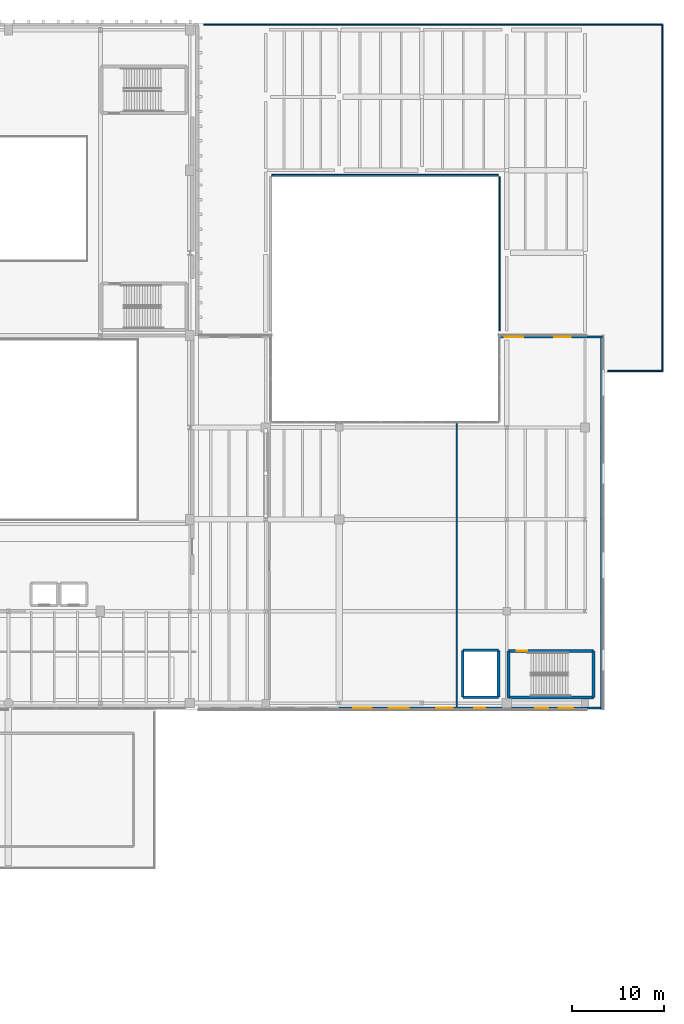
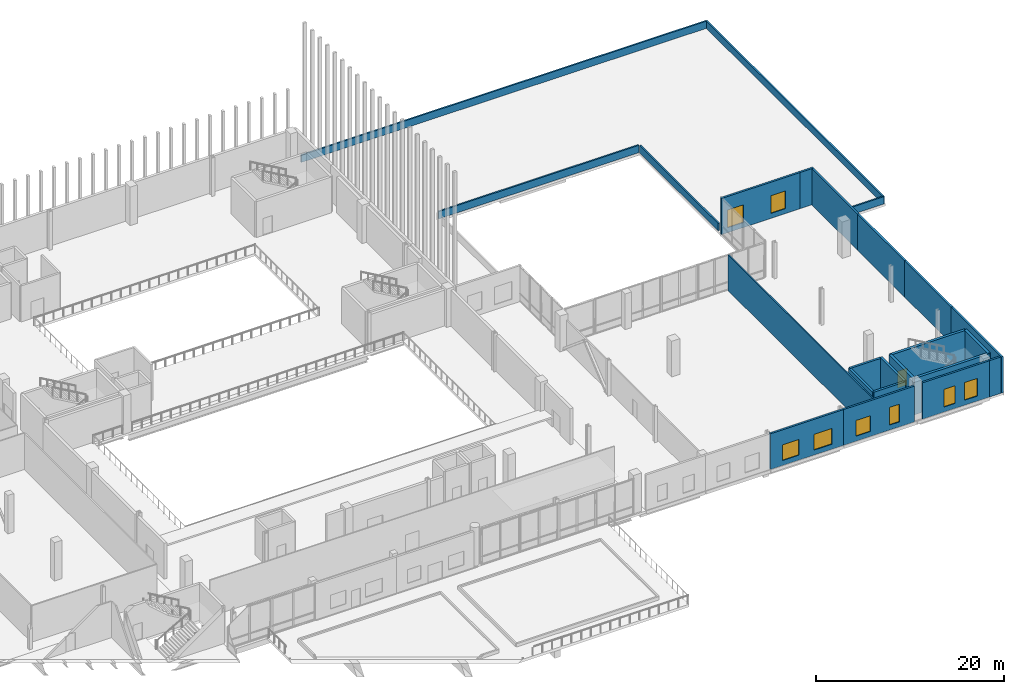
# One storey, part 47 of 60: 24 walls, 8 windows, 1 door, 9 openings.
"""IFC4 building model written with IfcOpenShell, lengths in metres."""

from ifc_helpers import new_model, si_unit, direction, frame, frame_2d, origin, place, context, subcontext, project, spatial, rectangle, extrude, material, layer, layer_set, type_object, element, fill, save


model = new_model("IFC4")

# Units and contexts
model_context = context("Model", 3, precision=1e-05, world=origin(), true_north=direction((0.0, 1.0)))
body_context = subcontext(model_context, "Body", "Model", "MODEL_VIEW")
ifc_project = project(units=[si_unit("LENGTHUNIT", "METRE"), si_unit("AREAUNIT", "SQUARE_METRE"), si_unit("VOLUMEUNIT", "CUBIC_METRE"), si_unit("PLANEANGLEUNIT", "RADIAN"), si_unit("MASSUNIT", "GRAM", prefix="KILO")], contexts=[model_context])

# Site, building, storey
site_placement = place(None, origin())
site = spatial("IfcSite", under=ifc_project, at=site_placement, CompositionType="ELEMENT")
building_placement = place(site_placement, origin())
building = spatial("IfcBuilding", under=site, at=building_placement, Name="Trimount Lyric Opera House", CompositionType="ELEMENT")
storey_placement = place(building_placement, frame((0.0, 0.0, 15.0)))
storey = spatial("IfcBuildingStorey", under=building, at=storey_placement, Name="L03", CompositionType="ELEMENT", Elevation=15.0)

# Walls
ifc_material_1 = material(Name="Precast concrete C40/50", Category="concrete")
ifc_layer_1 = layer(ifc_material_1, 0.18994140625)
ifc_layer_set_1 = layer_set([ifc_layer_1], Name="WL-PA190")
wall_type_1 = type_object("IfcWallType", Name="WL-PA190", PredefinedType="PARAPET", material=ifc_layer_set_1)
wall_1_placement = place(storey_placement, frame((147.4599609375, 84.550048828125, 0.0), z_axis=(0.0, 0.0, 1.0), x_axis=(0.0, 1.0, 0.0)))
element("IfcWall", 1, at=wall_1_placement, inside=storey, type_object=wall_type_1, Name="L03 roof parapet 011", PredefinedType="PARAPET", context=body_context, shape_type="SweptSolid", body=[
    extrude(rectangle(XDim=16.77001953125, YDim=0.18994140625, at=frame_2d((8.385009765625, 0.0))), origin(), (0.0, 0.0, 1.0), 0.949951171875),
])
wall_2_placement = place(storey_placement, frame((147.320068359375, 101.4599609375, 0.0), z_axis=(0.0, 0.0, 1.0), x_axis=(-1.0, 0.0, 0.0)))
element("IfcWall", 2, at=wall_2_placement, inside=storey, type_object=wall_type_1, Name="L03 roof parapet 012", PredefinedType="PARAPET", context=body_context, shape_type="SweptSolid", body=[
    extrude(rectangle(XDim=24.64013671875, YDim=0.18994140625, at=frame_2d((12.320068359375, 0.0))), origin(), (0.0, 0.0, 1.0), 0.949951171875),
])
wall_3_placement = place(storey_placement, frame((115.22998046875, 117.860107421875, 0.0), z_axis=(0.0, 0.0, 1.0), x_axis=(1.0, 0.0, 0.0)))
element("IfcWall", 3, at=wall_3_placement, inside=storey, type_object=wall_type_1, Name="L03 roof parapet 014", PredefinedType="PARAPET", context=body_context, shape_type="SweptSolid", body=[
    extrude(rectangle(XDim=49.949951171875, YDim=0.18994140625, at=frame_2d((24.97509765625, 0.0))), origin(), (0.0, 0.0, 1.0), 0.949951171875),
])
wall_4_placement = place(storey_placement, frame((165.179931640625, 117.860107421875, 0.0), z_axis=(0.0, 0.0, 1.0), x_axis=(0.0, -1.0, 0.0)))
element("IfcWall", 4, at=wall_4_placement, inside=storey, type_object=wall_type_1, Name="L03 roof parapet 015", PredefinedType="PARAPET", context=body_context, shape_type="SweptSolid", body=[
    extrude(rectangle(XDim=37.72021484375, YDim=0.18994140625, at=frame_2d((18.860107421875, 0.0))), origin(), (0.0, 0.0, 1.0), 0.949951171875),
])
wall_5_placement = place(storey_placement, frame((165.179931640625, 80.139892578125, 0.0), z_axis=(0.0, 0.0, 1.0), x_axis=(-1.0, 0.0, 0.0)))
element("IfcWall", 5, at=wall_5_placement, inside=storey, type_object=wall_type_1, Name="L03 roof parapet 016", PredefinedType="PARAPET", context=body_context, shape_type="SweptSolid", body=[
    extrude(rectangle(XDim=5.949951171875, YDim=0.18994140625, at=frame_2d((2.97509765625, 0.0))), origin(), (0.0, 0.0, 1.0), 0.949951171875),
])
ifc_material_2 = material(Name="Fire-Rated Gypsum Board Partition")
ifc_layer_2 = layer(ifc_material_2, 0.14990234375)
ifc_layer_set_2 = layer_set([ifc_layer_2], Name="WL-PT150")
wall_type_2 = type_object("IfcWallType", Name="WL-PT150", PredefinedType="PARTITIONING", material=ifc_layer_set_2)
wall_6_placement = place(storey_placement, frame((142.800048828125, 43.60009765625, 0.0), z_axis=(0.0, 0.0, 1.0), x_axis=(0.0, 1.0, 0.0)))
element("IfcWall", 6, at=wall_6_placement, inside=storey, type_object=wall_type_2, Name="L03 Tailoring, Dye & Fitting Atelier E partition", PredefinedType="PARTITIONING", context=body_context, shape_type="SweptSolid", body=[
    extrude(rectangle(XDim=30.7998046875, YDim=0.14990234375, at=frame_2d((15.39990234375, 0.0))), origin(), (0.0, 0.0, 1.0), 4.64990234375),
])
ifc_material_3 = material(Name="Concrete C40/50", Category="concrete")
ifc_layer_3 = layer(ifc_material_3, 0.280029296875)
ifc_layer_set_3 = layer_set([ifc_layer_3], Name="WL-SH280")
wall_type_3 = type_object("IfcWallType", Name="WL-SH280", PredefinedType="SHEAR", material=ifc_layer_set_3)
for number, where, z_axis, x_axis, name in (
    (7, (143.4599609375, 44.659912109375, 0.0), (0.0, 0.0, 1.0), (1.0, 0.0, 0.0), "Lift LF-07 L03 south shaft wall"),
    (8, (147.340087890625, 49.739990234375, 0.0), (0.0, 0.0, 1.0), (-1.0, 0.0, 0.0), "Lift LF-07 L03 north shaft wall"),
):
    element("IfcWall", number, at=place(storey_placement, frame(where, z_axis=z_axis, x_axis=x_axis)), inside=storey, type_object=wall_type_3, Name=name, PredefinedType="SHEAR", context=body_context, shape_type="SweptSolid", body=[
        extrude(rectangle(XDim=3.880126953125, YDim=0.280029296875, at=frame_2d((1.93994140625, 0.0))), origin(), (0.0, 0.0, 1.0), 4.64990234375),
    ])
wall_7_placement = place(storey_placement, frame((143.4599609375, 49.739990234375, 0.0), z_axis=(0.0, 0.0, 1.0), x_axis=(0.0, -1.0, 0.0)))
element("IfcWall", 9, at=wall_7_placement, inside=storey, type_object=wall_type_3, Name="Lift LF-07 L03 west shaft wall", PredefinedType="SHEAR", context=body_context, shape_type="SweptSolid", body=[
    extrude(rectangle(XDim=5.080078125, YDim=0.280029296875, at=frame_2d((2.5400390625, 0.0))), origin(), (0.0, 0.0, 1.0), 4.64990234375),
])
wall_8_placement = place(storey_placement, frame((147.340087890625, 44.659912109375, 0.0), z_axis=(0.0, 0.0, 1.0), x_axis=(0.0, 1.0, 0.0)))
element("IfcWall", 10, at=wall_8_placement, inside=storey, type_object=wall_type_3, Name="Lift LF-07 L03 east shaft wall", PredefinedType="SHEAR", context=body_context, shape_type="SweptSolid", body=[
    extrude(rectangle(XDim=5.080078125, YDim=0.280029296875, at=frame_2d((2.5400390625, 0.0))), origin(), (0.0, 0.0, 1.0), 4.719970703125),
])
ifc_material_4 = material(Name="Concrete C40/50", Category="concrete")
ifc_layer_4 = layer(ifc_material_4, 0.320068359375)
ifc_layer_set_4 = layer_set([ifc_layer_4], Name="WL-SH320")
wall_type_4 = type_object("IfcWallType", Name="WL-SH320", PredefinedType="SHEAR", material=ifc_layer_set_4)
wall_9_placement = place(storey_placement, frame((148.425048828125, 44.625, 0.0), z_axis=(0.0, 0.0, 1.0), x_axis=(1.0, 0.0, 0.0)))
element("IfcWall", 11, at=wall_9_placement, inside=storey, type_object=wall_type_4, Name="K5 L03 south shaft wall", PredefinedType="SHEAR", context=body_context, shape_type="SweptSolid", body=[
    extrude(rectangle(XDim=9.25, YDim=0.320068359375, at=frame_2d((4.625, 0.0))), origin(), (0.0, 0.0, 1.0), 4.719970703125),
])

# Wall, opening, door
wall_10_placement = place(storey_placement, frame((157.675048828125, 49.675048828125, 0.0), z_axis=(0.0, 0.0, 1.0), x_axis=(-1.0, 0.0, 0.0)))
wall_10 = element("IfcWall", 12, at=wall_10_placement, inside=storey, type_object=wall_type_4, Name="K5 L03 north shaft wall", PredefinedType="SHEAR", context=body_context, shape_type="SweptSolid", body=[
    extrude(rectangle(XDim=9.25, YDim=0.320068359375, at=frame_2d((4.625, 0.0))), origin(), (0.0, 0.0, 1.0), 4.719970703125),
])
opening_1_placement = place(wall_10_placement, frame((7.199951171875, 0.0, 0.0)))
opening_1 = element("IfcOpeningElement", 13, at=opening_1_placement, cuts=wall_10, Name="Opening DT-ST1", PredefinedType="OPENING", context=body_context, shape_type="SweptSolid", body=[
    extrude(rectangle(XDim=1.14990234375, YDim=2.199951171875, at=frame_2d((0.574951171875, 1.10009765625))), frame((0.0, 0.169921875, 0.0), z_axis=(0.0, -1.0, 0.0), x_axis=(1.0, 0.0, 0.0)), (0.0, 0.0, 1.0), 0.340087890625),
])
ifc_material_5 = material(Name="Fire-Rated Hollow Steel", Category="steel")
door_type = type_object("IfcDoorType", Name="DT-ST1", OperationType="NOTDEFINED", PredefinedType="DOOR", material=ifc_material_5)
door_placement = place(opening_1_placement, origin())
door = element("IfcDoor", 14, at=door_placement, inside=storey, type_object=door_type, Name="D-043", OperationType="SINGLE_SWING_LEFT", OverallHeight=2.199951171875, OverallWidth=1.14990234375, PredefinedType="DOOR", context=body_context, shape_type="SweptSolid", body=[
    extrude(rectangle(XDim=1.14990234375, YDim=2.199951171875, at=frame_2d((0.574951171875, 1.10009765625))), frame((0.0, 0.02490234375, 0.0), z_axis=(0.0, -1.0, 0.0), x_axis=(1.0, 0.0, 0.0)), (0.0, 0.0, 1.0), 0.050048828125),
])
fill(opening_1, door)

# Walls
for number, where, z_axis, x_axis, name in (
    (15, (148.425048828125, 49.675048828125, 0.0), (0.0, 0.0, 1.0), (0.0, -1.0, 0.0), "K5 L03 west shaft wall"),
    (16, (157.675048828125, 44.625, 0.0), (0.0, 0.0, 1.0), (0.0, 1.0, 0.0), "K5 L03 east shaft wall"),
):
    element("IfcWall", number, at=place(storey_placement, frame(where, z_axis=z_axis, x_axis=x_axis)), inside=storey, type_object=wall_type_4, Name=name, PredefinedType="SHEAR", context=body_context, shape_type="SweptSolid", body=[
        extrude(rectangle(XDim=5.050048828125, YDim=0.320068359375, at=frame_2d((2.52490234375, 0.0))), origin(), (0.0, 0.0, 1.0), 4.719970703125),
    ])

# Wall, openings, windows
ifc_material_6 = material(Name="Concrete C35/45", Category="concrete")
ifc_layer_5 = layer(ifc_material_6, 0.239990234375)
ifc_layer_set_5 = layer_set([ifc_layer_5], Name="WL-SW240")
wall_type_5 = type_object("IfcWallType", Name="WL-SW240", PredefinedType="SOLIDWALL", material=ifc_layer_set_5)
wall_11_placement = place(storey_placement, frame((147.320068359375, 83.860107421875, 0.0), z_axis=(0.0, 0.0, 1.0), x_axis=(1.0, 0.0, 0.0)))
wall_11 = element("IfcWall", 17, at=wall_11_placement, inside=storey, type_object=wall_type_5, Name="L03 exterior facade wall 268", PredefinedType="SOLIDWALL", context=body_context, shape_type="SweptSolid", body=[
    extrude(rectangle(XDim=9.679931640625, YDim=0.239990234375, at=frame_2d((4.83984375, 0.0))), origin(), (0.0, 0.0, 1.0), 4.7099609375),
])
opening_2_placement = place(wall_11_placement, frame((0.71044921875, 0.0, 0.64990234375)))
opening_2 = element("IfcOpeningElement", 18, at=opening_2_placement, cuts=wall_11, Name="Opening WT-03", PredefinedType="OPENING", context=body_context, shape_type="SweptSolid", body=[
    extrude(rectangle(XDim=2.0, YDim=2.300048828125, at=frame_2d((1.0, 1.14990234375))), frame((0.0, 0.1298828125, 0.0), z_axis=(0.0, -1.0, 0.0), x_axis=(1.0, 0.0, 0.0)), (0.0, 0.0, 1.0), 0.260009765625),
])
opening_3_placement = place(wall_11_placement, frame((6.069580078125, 0.0, 0.64990234375)))
opening_3 = element("IfcOpeningElement", 19, at=opening_3_placement, cuts=wall_11, Name="Opening WT-04", PredefinedType="OPENING", context=body_context, shape_type="SweptSolid", body=[
    extrude(rectangle(XDim=1.800048828125, YDim=2.300048828125, at=frame_2d((0.89990234375, 1.14990234375))), frame((0.0, 0.1298828125, 0.0), z_axis=(0.0, -1.0, 0.0), x_axis=(1.0, 0.0, 0.0)), (0.0, 0.0, 1.0), 0.260009765625),
])
ifc_material_7 = material(Name="Triple Acoustic Glazing in Aluminium Frame", Category="aluminium")
window_type_1 = type_object("IfcWindowType", Name="WT-03", PartitioningType="DOUBLE_PANEL_VERTICAL", PredefinedType="WINDOW", material=ifc_material_7)
window_1_placement = place(opening_2_placement, origin())
window_1 = element("IfcWindow", 20, at=window_1_placement, inside=storey, type_object=window_type_1, Name="Window WT-03-0237", OverallHeight=2.300048828125, OverallWidth=2.0, PartitioningType="SINGLE_PANEL", PredefinedType="WINDOW", context=body_context, shape_type="SweptSolid", body=[
    extrude(rectangle(XDim=2.0, YDim=2.300048828125, at=frame_2d((1.0, 1.14990234375))), frame((0.0, 0.030029296875, 0.0), z_axis=(0.0, -1.0, 0.0), x_axis=(1.0, 0.0, 0.0)), (0.0, 0.0, 1.0), 0.06005859375),
])
fill(opening_2, window_1)
ifc_material_8 = material(Name="Triple Acoustic Glazing in Aluminium Frame", Category="aluminium")
window_type_2 = type_object("IfcWindowType", Name="WT-04", PartitioningType="DOUBLE_PANEL_VERTICAL", PredefinedType="WINDOW", material=ifc_material_8)
window_2_placement = place(opening_3_placement, origin())
window_2 = element("IfcWindow", 21, at=window_2_placement, inside=storey, type_object=window_type_2, Name="Window WT-04-0238", OverallHeight=2.300048828125, OverallWidth=1.800048828125, PartitioningType="SINGLE_PANEL", PredefinedType="WINDOW", context=body_context, shape_type="SweptSolid", body=[
    extrude(rectangle(XDim=1.800048828125, YDim=2.300048828125, at=frame_2d((0.89990234375, 1.14990234375))), frame((0.0, 0.030029296875, 0.0), z_axis=(0.0, -1.0, 0.0), x_axis=(1.0, 0.0, 0.0)), (0.0, 0.0, 1.0), 0.06005859375),
])
fill(opening_3, window_2)

# Walls
wall_12_placement = place(storey_placement, frame((157.0, 83.860107421875, 0.0), z_axis=(0.0, 0.0, 1.0), x_axis=(1.0, 0.0, 0.0)))
element("IfcWall", 22, at=wall_12_placement, inside=storey, type_object=wall_type_5, Name="L03 exterior facade wall 269", PredefinedType="SOLIDWALL", context=body_context, shape_type="SweptSolid", body=[
    extrude(rectangle(XDim=1.679931640625, YDim=0.239990234375, at=frame_2d((0.83984375, 0.0))), origin(), (0.0, 0.0, 1.0), 4.7099609375),
])
wall_13_placement = place(storey_placement, frame((158.5400390625, 83.735107421875, 0.0), z_axis=(0.0, 0.0, 1.0), x_axis=(0.0, -1.0, 0.0)))
element("IfcWall", 23, at=wall_13_placement, inside=storey, type_object=wall_type_5, Name="L03 exterior facade wall 270", PredefinedType="SOLIDWALL", context=body_context, shape_type="SweptSolid", body=[
    extrude(rectangle(XDim=9.735107421875, YDim=0.239990234375, at=frame_2d((4.86767578125, 0.0))), origin(), (0.0, 0.0, 1.0), 4.7099609375),
])
for number, where, z_axis, x_axis, name in (
    (24, (158.5400390625, 74.0, 0.0), (0.0, 0.0, 1.0), (0.0, -1.0, 0.0), "L03 exterior facade wall 271"),
    (25, (158.5400390625, 64.0, 0.0), (0.0, 0.0, 1.0), (0.0, -1.0, 0.0), "L03 exterior facade wall 272"),
):
    element("IfcWall", number, at=place(storey_placement, frame(where, z_axis=z_axis, x_axis=x_axis)), inside=storey, type_object=wall_type_5, Name=name, PredefinedType="SOLIDWALL", context=body_context, shape_type="SweptSolid", body=[
        extrude(rectangle(XDim=10.0, YDim=0.239990234375, at=frame_2d((5.0, 0.0))), origin(), (0.0, 0.0, 1.0), 4.7099609375),
    ])
wall_14_placement = place(storey_placement, frame((158.5400390625, 54.0, 0.0), z_axis=(0.0, 0.0, 1.0), x_axis=(0.0, -1.0, 0.0)))
element("IfcWall", 26, at=wall_14_placement, inside=storey, type_object=wall_type_5, Name="L03 exterior facade wall 273", PredefinedType="SOLIDWALL", context=body_context, shape_type="SweptSolid", body=[
    extrude(rectangle(XDim=10.679931640625, YDim=0.239990234375, at=frame_2d((5.33984375, 0.0))), origin(), (0.0, 0.0, 1.0), 4.719970703125),
])
wall_15_placement = place(storey_placement, frame((158.4150390625, 43.4599609375, 0.0), z_axis=(0.0, 0.0, 1.0), x_axis=(-1.0, 0.0, 0.0)))
element("IfcWall", 27, at=wall_15_placement, inside=storey, type_object=wall_type_5, Name="L03 exterior facade wall 274", PredefinedType="SOLIDWALL", context=body_context, shape_type="SweptSolid", body=[
    extrude(rectangle(XDim=1.4150390625, YDim=0.239990234375, at=frame_2d((0.70751953125, 0.0))), origin(), (0.0, 0.0, 1.0), 4.719970703125),
])

# Wall, openings, windows
wall_16_placement = place(storey_placement, frame((157.0, 43.4599609375, 0.0), z_axis=(0.0, 0.0, 1.0), x_axis=(-1.0, 0.0, 0.0)))
wall_16 = element("IfcWall", 28, at=wall_16_placement, inside=storey, type_object=wall_type_5, Name="L03 exterior facade wall 275", PredefinedType="SOLIDWALL", context=body_context, shape_type="SweptSolid", body=[
    extrude(rectangle(XDim=8.260009765625, YDim=0.239990234375, at=frame_2d((4.1298828125, 0.0))), origin(), (0.0, 0.0, 1.0), 4.719970703125),
])
opening_4_placement = place(wall_16_placement, frame((1.5126953125, 0.0, 0.64990234375)))
opening_4 = element("IfcOpeningElement", 29, at=opening_4_placement, cuts=wall_16, Name="Opening WT-05", PredefinedType="OPENING", context=body_context, shape_type="SweptSolid", body=[
    extrude(rectangle(XDim=1.60009765625, YDim=2.300048828125, at=frame_2d((0.800048828125, 1.14990234375))), frame((0.0, 0.1298828125, 0.0), z_axis=(0.0, -1.0, 0.0), x_axis=(1.0, 0.0, 0.0)), (0.0, 0.0, 1.0), 0.260009765625),
])
opening_5_placement = place(wall_16_placement, frame((4.247314453125, 0.0, 0.64990234375)))
opening_5 = element("IfcOpeningElement", 30, at=opening_5_placement, cuts=wall_16, Name="Opening WT-06", PredefinedType="OPENING", context=body_context, shape_type="SweptSolid", body=[
    extrude(rectangle(XDim=1.39990234375, YDim=2.300048828125, at=frame_2d((0.699951171875, 1.14990234375))), frame((0.0, 0.1298828125, 0.0), z_axis=(0.0, -1.0, 0.0), x_axis=(1.0, 0.0, 0.0)), (0.0, 0.0, 1.0), 0.260009765625),
])
ifc_material_9 = material(Name="Triple Acoustic Glazing in Aluminium Frame", Category="aluminium")
window_type_3 = type_object("IfcWindowType", Name="WT-05", PartitioningType="SINGLE_PANEL", PredefinedType="WINDOW", material=ifc_material_9)
window_3_placement = place(opening_4_placement, origin())
window_3 = element("IfcWindow", 31, at=window_3_placement, inside=storey, type_object=window_type_3, Name="Window WT-05-0239", OverallHeight=2.300048828125, OverallWidth=1.60009765625, PartitioningType="SINGLE_PANEL", PredefinedType="WINDOW", context=body_context, shape_type="SweptSolid", body=[
    extrude(rectangle(XDim=1.60009765625, YDim=2.300048828125, at=frame_2d((0.800048828125, 1.14990234375))), frame((0.0, 0.030029296875, 0.0), z_axis=(0.0, -1.0, 0.0), x_axis=(1.0, 0.0, 0.0)), (0.0, 0.0, 1.0), 0.06005859375),
])
fill(opening_4, window_3)
ifc_material_10 = material(Name="Triple Acoustic Glazing in Aluminium Frame", Category="aluminium")
window_type_4 = type_object("IfcWindowType", Name="WT-06", PartitioningType="SINGLE_PANEL", PredefinedType="WINDOW", material=ifc_material_10)
window_4_placement = place(opening_5_placement, origin())
window_4 = element("IfcWindow", 32, at=window_4_placement, inside=storey, type_object=window_type_4, Name="Window WT-06-0240", OverallHeight=2.300048828125, OverallWidth=1.39990234375, PartitioningType="SINGLE_PANEL", PredefinedType="WINDOW", context=body_context, shape_type="SweptSolid", body=[
    extrude(rectangle(XDim=1.39990234375, YDim=2.300048828125, at=frame_2d((0.699951171875, 1.14990234375))), frame((0.0, 0.030029296875, 0.0), z_axis=(0.0, -1.0, 0.0), x_axis=(1.0, 0.0, 0.0)), (0.0, 0.0, 1.0), 0.06005859375),
])
fill(opening_5, window_4)

wall_17_placement = place(storey_placement, frame((147.739990234375, 43.4599609375, 0.0), z_axis=(0.0, 0.0, 1.0), x_axis=(-1.0, 0.0, 0.0)))
wall_17 = element("IfcWall", 33, at=wall_17_placement, inside=storey, type_object=wall_type_5, Name="L03 exterior facade wall 276", PredefinedType="SOLIDWALL", context=body_context, shape_type="SweptSolid", body=[
    extrude(rectangle(XDim=8.739990234375, YDim=0.239990234375, at=frame_2d((4.3701171875, 0.0))), origin(), (0.0, 0.0, 1.0), 4.64990234375),
])
opening_6_placement = place(wall_17_placement, frame((1.84716796875, 0.0, 0.64990234375)))
opening_6 = element("IfcOpeningElement", 34, at=opening_6_placement, cuts=wall_17, Name="Opening WT-07", PredefinedType="OPENING", context=body_context, shape_type="SweptSolid", body=[
    extrude(rectangle(XDim=1.199951171875, YDim=2.300048828125, at=frame_2d((0.60009765625, 1.14990234375))), frame((0.0, 0.1298828125, 0.0), z_axis=(0.0, -1.0, 0.0), x_axis=(1.0, 0.0, 0.0)), (0.0, 0.0, 1.0), 0.260009765625),
])
opening_7_placement = place(wall_17_placement, frame((5.392822265625, 0.0, 0.64990234375)))
opening_7 = element("IfcOpeningElement", 35, at=opening_7_placement, cuts=wall_17, Name="Opening WT-11", PredefinedType="OPENING", context=body_context, shape_type="SweptSolid", body=[
    extrude(rectangle(XDim=1.800048828125, YDim=2.050048828125, at=frame_2d((0.89990234375, 1.02490234375))), frame((0.0, 0.1298828125, 0.0), z_axis=(0.0, -1.0, 0.0), x_axis=(1.0, 0.0, 0.0)), (0.0, 0.0, 1.0), 0.260009765625),
])
ifc_material_11 = material(Name="Triple Acoustic Glazing in Aluminium Frame", Category="aluminium")
window_type_5 = type_object("IfcWindowType", Name="WT-07", PartitioningType="SINGLE_PANEL", PredefinedType="WINDOW", material=ifc_material_11)
window_5_placement = place(opening_6_placement, origin())
window_5 = element("IfcWindow", 36, at=window_5_placement, inside=storey, type_object=window_type_5, Name="Window WT-07-0241", OverallHeight=2.300048828125, OverallWidth=1.199951171875, PartitioningType="SINGLE_PANEL", PredefinedType="WINDOW", context=body_context, shape_type="SweptSolid", body=[
    extrude(rectangle(XDim=1.199951171875, YDim=2.300048828125, at=frame_2d((0.60009765625, 1.14990234375))), frame((0.0, 0.030029296875, 0.0), z_axis=(0.0, -1.0, 0.0), x_axis=(1.0, 0.0, 0.0)), (0.0, 0.0, 1.0), 0.06005859375),
])
fill(opening_6, window_5)
ifc_material_12 = material(Name="Low-E Insulated Glazing in Bronze Frame", Category="glass")
window_type_6 = type_object("IfcWindowType", Name="WT-11", PartitioningType="DOUBLE_PANEL_VERTICAL", PredefinedType="WINDOW", material=ifc_material_12)
window_6_placement = place(opening_7_placement, origin())
window_6 = element("IfcWindow", 37, at=window_6_placement, inside=storey, type_object=window_type_6, Name="Window WT-11-0242", OverallHeight=2.050048828125, OverallWidth=1.800048828125, PartitioningType="SINGLE_PANEL", PredefinedType="WINDOW", context=body_context, shape_type="SweptSolid", body=[
    extrude(rectangle(XDim=1.800048828125, YDim=2.050048828125, at=frame_2d((0.89990234375, 1.02490234375))), frame((0.0, 0.030029296875, 0.0), z_axis=(0.0, -1.0, 0.0), x_axis=(1.0, 0.0, 0.0)), (0.0, 0.0, 1.0), 0.06005859375),
])
fill(opening_7, window_6)

wall_18_placement = place(storey_placement, frame((139.0, 43.4599609375, 0.0), z_axis=(0.0, 0.0, 1.0), x_axis=(-1.0, 0.0, 0.0)))
wall_18 = element("IfcWall", 38, at=wall_18_placement, inside=storey, type_object=wall_type_5, Name="L03 exterior facade wall 277", PredefinedType="SOLIDWALL", context=body_context, shape_type="SweptSolid", body=[
    extrude(rectangle(XDim=9.0, YDim=0.239990234375, at=frame_2d((4.5, 0.0))), origin(), (0.0, 0.0, 1.0), 4.64990234375),
])
opening_8_placement = place(wall_18_placement, frame((1.419921875, 0.0, 0.64990234375)))
opening_8 = element("IfcOpeningElement", 39, at=opening_8_placement, cuts=wall_18, Name="Opening WT-09", PredefinedType="OPENING", context=body_context, shape_type="SweptSolid", body=[
    extrude(rectangle(XDim=2.199951171875, YDim=2.050048828125, at=frame_2d((1.10009765625, 1.02490234375))), frame((0.0, 0.1298828125, 0.0), z_axis=(0.0, -1.0, 0.0), x_axis=(1.0, 0.0, 0.0)), (0.0, 0.0, 1.0), 0.260009765625),
])
opening_9_placement = place(wall_18_placement, frame((5.47998046875, 0.0, 0.64990234375)))
opening_9 = element("IfcOpeningElement", 40, at=opening_9_placement, cuts=wall_18, Name="Opening WT-10", PredefinedType="OPENING", context=body_context, shape_type="SweptSolid", body=[
    extrude(rectangle(XDim=2.0, YDim=2.050048828125, at=frame_2d((1.0, 1.02490234375))), frame((0.0, 0.1298828125, 0.0), z_axis=(0.0, -1.0, 0.0), x_axis=(1.0, 0.0, 0.0)), (0.0, 0.0, 1.0), 0.260009765625),
])
ifc_material_13 = material(Name="Low-E Insulated Glazing in Bronze Frame", Category="glass")
window_type_7 = type_object("IfcWindowType", Name="WT-09", PartitioningType="DOUBLE_PANEL_VERTICAL", PredefinedType="WINDOW", material=ifc_material_13)
window_7_placement = place(opening_8_placement, origin())
window_7 = element("IfcWindow", 41, at=window_7_placement, inside=storey, type_object=window_type_7, Name="Window WT-09-0243", OverallHeight=2.050048828125, OverallWidth=2.199951171875, PartitioningType="SINGLE_PANEL", PredefinedType="WINDOW", context=body_context, shape_type="SweptSolid", body=[
    extrude(rectangle(XDim=2.199951171875, YDim=2.050048828125, at=frame_2d((1.10009765625, 1.02490234375))), frame((0.0, 0.030029296875, 0.0), z_axis=(0.0, -1.0, 0.0), x_axis=(1.0, 0.0, 0.0)), (0.0, 0.0, 1.0), 0.06005859375),
])
fill(opening_8, window_7)
ifc_material_14 = material(Name="Low-E Insulated Glazing in Bronze Frame", Category="glass")
window_type_8 = type_object("IfcWindowType", Name="WT-10", PartitioningType="DOUBLE_PANEL_VERTICAL", PredefinedType="WINDOW", material=ifc_material_14)
window_8_placement = place(opening_9_placement, origin())
window_8 = element("IfcWindow", 42, at=window_8_placement, inside=storey, type_object=window_type_8, Name="Window WT-10-0244", OverallHeight=2.050048828125, OverallWidth=2.0, PartitioningType="SINGLE_PANEL", PredefinedType="WINDOW", context=body_context, shape_type="SweptSolid", body=[
    extrude(rectangle(XDim=2.0, YDim=2.050048828125, at=frame_2d((1.0, 1.02490234375))), frame((0.0, 0.030029296875, 0.0), z_axis=(0.0, -1.0, 0.0), x_axis=(1.0, 0.0, 0.0)), (0.0, 0.0, 1.0), 0.06005859375),
])
fill(opening_9, window_8)

save(model, "model.ifc")
